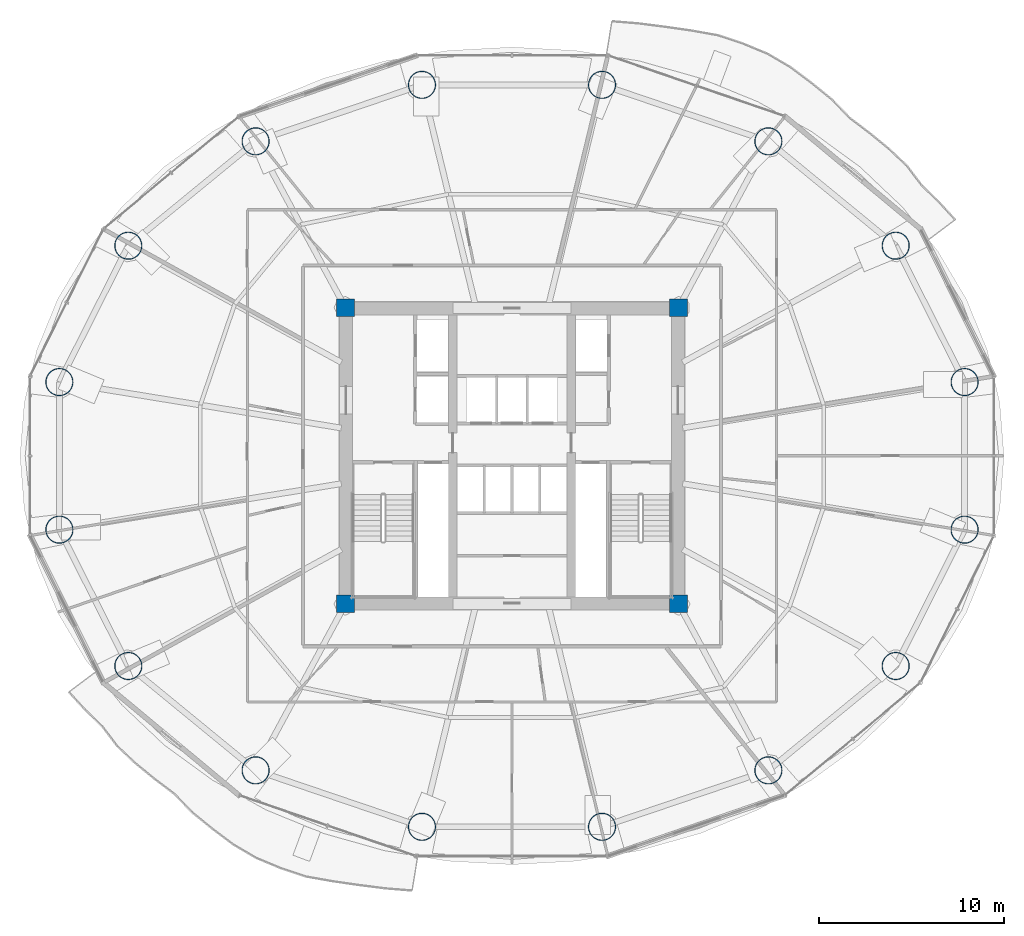
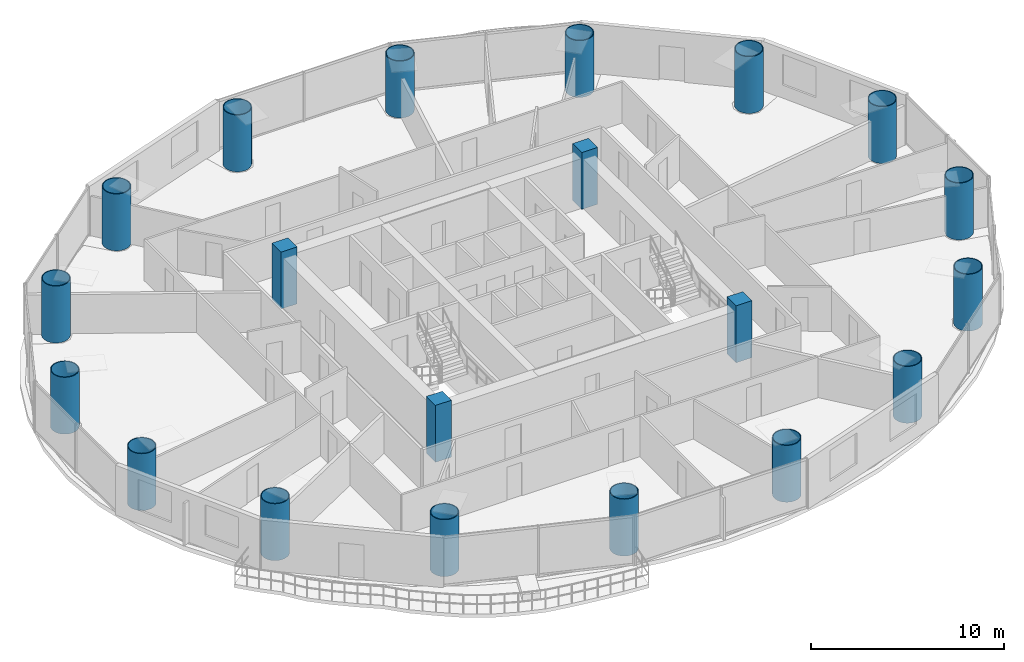
# One storey, part 1 of 29: 20 columns.
"""IFC4 building model written with IfcOpenShell, lengths in metres."""

from ifc_helpers import new_model, si_unit, direction, frame, origin, origin_2d, place, context, subcontext, project, spatial, rectangle, hollow_circle, extrude, material, material_profile, profile_set, type_object, element, save


model = new_model("IFC4")

# Units and contexts
model_context = context("Model", 3, precision=1e-05, world=origin(), true_north=direction((-0.2419218956, 0.970295726276)))
body_context = subcontext(model_context, "Body", "Model", "MODEL_VIEW")
ifc_project = project(units=[si_unit("LENGTHUNIT", "METRE"), si_unit("AREAUNIT", "SQUARE_METRE"), si_unit("VOLUMEUNIT", "CUBIC_METRE"), si_unit("PLANEANGLEUNIT", "RADIAN"), si_unit("MASSUNIT", "GRAM", prefix="KILO")], contexts=[model_context])

# Site, building, storey
site_placement = place(None, origin())
site = spatial("IfcSite", under=ifc_project, at=site_placement, CompositionType="ELEMENT")
building_placement = place(site_placement, origin())
building = spatial("IfcBuilding", under=site, at=building_placement, Name="Cobrevalo Terracotta Tower", CompositionType="ELEMENT")
storey_placement = place(building_placement, frame((0.0, 0.0, 126.60009765625)))
storey = spatial("IfcBuildingStorey", under=building, at=storey_placement, Name="L33", CompositionType="ELEMENT", Elevation=126.60009765625)

# Columns
ifc_material_1 = material(Name="Steel S355", Category="steel")
ifc_material_profile_1 = material_profile(ifc_material_1, hollow_circle(Radius=0.75, WallThickness=0.044921875, at=origin_2d()), Name="CHS 1500x45")
ifc_profile_set_1 = profile_set([ifc_material_profile_1], Name="Steel S355")
column_type_1 = type_object("IfcColumnType", Name="Structural Column CHS 1500x45 (Steel S355)", PredefinedType="COLUMN", material=ifc_profile_set_1)
for number, where, z_axis, x_axis, name in (
    (1, (62.470703125, 30.78955078125, 0.0), (0.0, 0.0, 1.0), (1.0, 0.0, 0.0), "L33 composite megacolumn MC01"),
    (2, (58.7451171875, 38.161376953125, 0.0), (0.0, 0.0, 1.0), (1.0, 0.0, 0.0), "L33 composite megacolumn MC02"),
    (3, (51.861572265625, 43.803466796875, 0.0), (0.0, 0.0, 1.0), (1.0, 0.0, 0.0), "L33 composite megacolumn MC03"),
    (4, (42.867431640625, 46.857177734375, 0.0), (0.0, 0.0, 1.0), (1.0, 0.0, 0.0), "L33 composite megacolumn MC04"),
    (5, (33.132568359375, 46.857177734375, 0.0), (0.0, 0.0, 1.0), (1.0, 0.0, 0.0), "L33 composite megacolumn MC05"),
    (6, (24.138427734375, 43.803466796875, 0.0), (0.0, 0.0, 1.0), (1.0, 0.0, 0.0), "L33 composite megacolumn MC06"),
    (7, (17.2548828125, 38.161376953125, 0.0), (0.0, 0.0, 1.0), (1.0, 0.0, 0.0), "L33 composite megacolumn MC07"),
    (8, (13.529296875, 30.78955078125, 0.0), (0.0, 0.0, 1.0), (1.0, 0.0, 0.0), "L33 composite megacolumn MC08"),
    (9, (13.529296875, 22.810302734375, 0.0), (0.0, 0.0, 1.0), (1.0, 0.0, 0.0), "L33 composite megacolumn MC09"),
    (10, (17.2548828125, 15.4384765625, 0.0), (0.0, 0.0, 1.0), (1.0, 0.0, 0.0), "L33 composite megacolumn MC10"),
    (11, (24.138427734375, 9.79638671875, 0.0), (0.0, 0.0, 1.0), (1.0, 0.0, 0.0), "L33 composite megacolumn MC11"),
    (12, (33.132568359375, 6.742919921875, 0.0), (0.0, 0.0, 1.0), (1.0, 0.0, 0.0), "L33 composite megacolumn MC12"),
    (13, (42.867431640625, 6.742919921875, 0.0), (0.0, 0.0, 1.0), (1.0, 0.0, 0.0), "L33 composite megacolumn MC13"),
    (14, (51.861572265625, 9.79638671875, 0.0), (0.0, 0.0, 1.0), (1.0, 0.0, 0.0), "L33 composite megacolumn MC14"),
    (15, (58.7451171875, 15.4384765625, 0.0), (0.0, 0.0, 1.0), (1.0, 0.0, 0.0), "L33 composite megacolumn MC15"),
    (16, (62.470703125, 22.810302734375, 0.0), (0.0, 0.0, 1.0), (1.0, 0.0, 0.0), "L33 composite megacolumn MC16"),
):
    element("IfcColumn", number, at=place(storey_placement, frame(where, z_axis=z_axis, x_axis=x_axis)), inside=storey, type_object=column_type_1, Name=name, PredefinedType="COLUMN", context=body_context, shape_type="SweptSolid", body=[
        extrude(hollow_circle(Radius=0.75, WallThickness=0.044921875, at=origin_2d()), origin(), (0.0, 0.0, 1.0), 3.599853515625),
    ])
ifc_material_2 = material(Name="Concrete C55", Category="concrete")
ifc_material_profile_2 = material_profile(ifc_material_2, rectangle(XDim=0.949951171875, YDim=0.949951171875, at=origin_2d()), Name="RC COL 950x950")
ifc_profile_set_2 = profile_set([ifc_material_profile_2], Name="Concrete C55")
column_type_2 = type_object("IfcColumnType", Name="Structural Column RC COL 950x950 (Concrete C55)", PredefinedType="COLUMN", material=ifc_profile_set_2)
for number, where, z_axis, x_axis, name in (
    (17, (29.0, 18.800048828125, 0.0), (0.0, 0.0, 1.0), (1.0, 0.0, 0.0), "L33 core corner column CC1"),
    (18, (47.0, 18.800048828125, 0.0), (0.0, 0.0, 1.0), (1.0, 0.0, 0.0), "L33 core corner column CC2"),
    (19, (47.0, 34.800048828125, 0.0), (0.0, 0.0, 1.0), (1.0, 0.0, 0.0), "L33 core corner column CC3"),
    (20, (29.0, 34.800048828125, 0.0), (0.0, 0.0, 1.0), (1.0, 0.0, 0.0), "L33 core corner column CC4"),
):
    element("IfcColumn", number, at=place(storey_placement, frame(where, z_axis=z_axis, x_axis=x_axis)), inside=storey, type_object=column_type_2, Name=name, PredefinedType="COLUMN", context=body_context, shape_type="SweptSolid", body=[
        extrude(rectangle(XDim=0.949951171875, YDim=0.949951171875, at=origin_2d()), origin(), (0.0, 0.0, 1.0), 3.599853515625),
    ])

save(model, "model.ifc")
